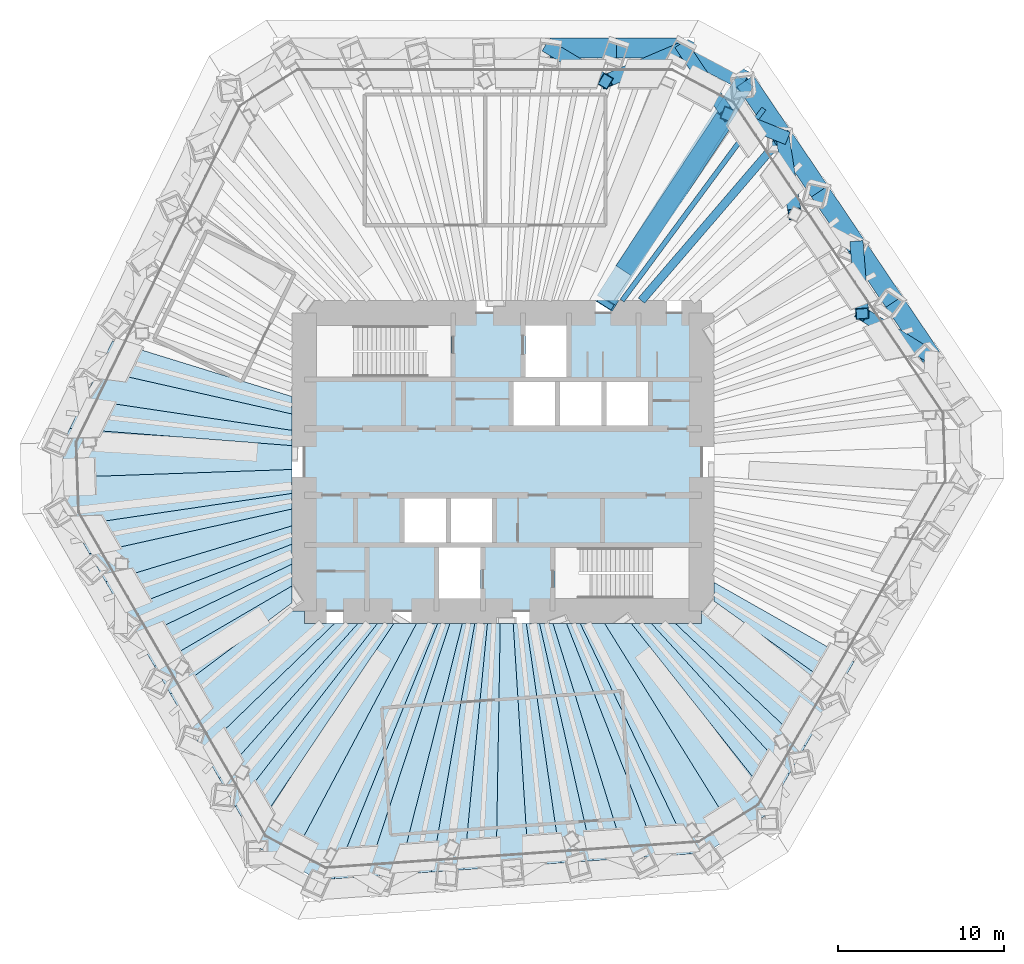
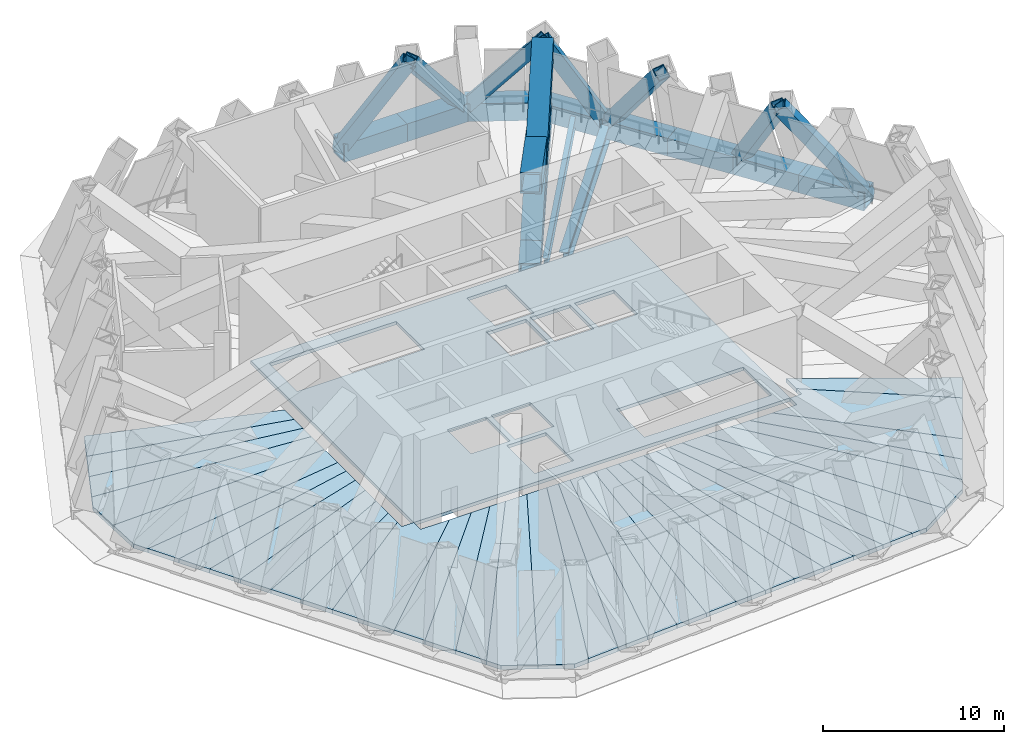
# One storey, part 5 of 12: 35 slabs, 17 members, 3 beams.
"""IFC4 building model written with IfcOpenShell, lengths in metres."""

from ifc_helpers import new_model, si_unit, direction, frame, origin, origin_2d, place, context, subcontext, project, spatial, polyline, hollow_rectangle, i_section, outline, extrude, material, layer, layer_set, material_profile, profile_set, type_object, element, save


model = new_model("IFC4")

# Units and contexts
model_context = context("Model", 3, precision=1e-05, world=origin(), true_north=direction((0.0, 1.0)))
body_context = subcontext(model_context, "Body", "Model", "MODEL_VIEW")
ifc_project = project(units=[si_unit("LENGTHUNIT", "METRE"), si_unit("AREAUNIT", "SQUARE_METRE"), si_unit("VOLUMEUNIT", "CUBIC_METRE"), si_unit("PLANEANGLEUNIT", "RADIAN"), si_unit("MASSUNIT", "GRAM", prefix="KILO")], contexts=[model_context])

# Site, building, storey
site_placement = place(None, origin())
site = spatial("IfcSite", under=ifc_project, at=site_placement, CompositionType="ELEMENT")
building_placement = place(site_placement, origin())
building = spatial("IfcBuilding", under=site, at=building_placement, Name="Qingtian Harvest Tower", CompositionType="ELEMENT")
storey_placement = place(building_placement, frame((0.0, 0.0, 174.39990234375)))
storey = spatial("IfcBuildingStorey", under=building, at=storey_placement, Name="L37", CompositionType="ELEMENT", Elevation=174.39990234375)

# Members
ifc_material_1 = material(Name="Steel SM570MC", Category="steel")
ifc_material_profile_1 = material_profile(ifc_material_1, hollow_rectangle(XDim=1.199951171875, YDim=1.199951171875, WallThickness=0.10009765625, at=origin_2d()), Name="BOX1200x1200x100")
ifc_profile_set_1 = profile_set([ifc_material_profile_1], Name="Steel SM570MC")
member_type_1 = type_object("IfcMemberType", Name="Belt truss chord BC2 BOX1200x1200x100", PredefinedType="CHORD", material=ifc_profile_set_1)
member_1_placement = place(storey_placement, frame((2.8544921875, 25.0, -0.599853515625), z_axis=(1.0, 0.0, 0.0), x_axis=(0.0, 1.0, 0.0)))
element("IfcMember", 1, at=member_1_placement, inside=storey, type_object=member_type_1, Name="Belt chord BC2 N4", PredefinedType="CHORD", context=body_context, shape_type="SweptSolid", body=[
    extrude(hollow_rectangle(XDim=1.199951171875, YDim=1.199951171875, WallThickness=0.10009765625, at=origin_2d()), origin(), (0.0, 0.0, 1.0), 4.019287109375),
])
member_2_placement = place(storey_placement, frame((6.873779296875, 25.0, -0.599853515625), z_axis=(1.0, 0.0, 0.0), x_axis=(0.0, 1.0, 0.0)))
element("IfcMember", 2, at=member_2_placement, inside=storey, type_object=member_type_1, Name="Belt chord BC2 N5", PredefinedType="CHORD", context=body_context, shape_type="SweptSolid", body=[
    extrude(hollow_rectangle(XDim=1.199951171875, YDim=1.199951171875, WallThickness=0.10009765625, at=origin_2d()), origin(), (0.0, 0.0, 1.0), 4.01904296875),
])
member_3_placement = place(storey_placement, frame((10.892822265625, 25.0, -0.599853515625), z_axis=(0.882935902835, -0.469493547863, 0.0), x_axis=(0.469493547863, 0.882935902835, 0.0)))
element("IfcMember", 3, at=member_3_placement, inside=storey, type_object=member_type_1, Name="Belt chord BC2 NC", PredefinedType="CHORD", context=body_context, shape_type="SweptSolid", body=[
    extrude(hollow_rectangle(XDim=1.199951171875, YDim=1.199951171875, WallThickness=0.10009765625, at=origin_2d()), origin(), (0.0, 0.0, 1.0), 4.238037109375),
])
member_4_placement = place(storey_placement, frame((14.634765625, 23.01025390625, -0.599853515625), z_axis=(0.559205752254, -0.829028905796, 0.0), x_axis=(0.829028905796, 0.559205752254, 0.0)))
element("IfcMember", 4, at=member_4_placement, inside=storey, type_object=member_type_1, Name="Belt chord BC2 NE0", PredefinedType="CHORD", context=body_context, shape_type="SweptSolid", body=[
    extrude(hollow_rectangle(XDim=1.199951171875, YDim=1.199951171875, WallThickness=0.10009765625, at=origin_2d()), origin(), (0.0, 0.0, 1.0), 4.019287109375),
])
member_5_placement = place(storey_placement, frame((16.88232421875, 19.67822265625, -0.599853515625), z_axis=(0.55919216322, -0.82903807186, 0.0), x_axis=(0.82903807186, 0.55919216322, 0.0)))
element("IfcMember", 5, at=member_5_placement, inside=storey, type_object=member_type_1, Name="Belt chord BC2 NE1", PredefinedType="CHORD", context=body_context, shape_type="SweptSolid", body=[
    extrude(hollow_rectangle(XDim=1.199951171875, YDim=1.199951171875, WallThickness=0.10009765625, at=origin_2d()), origin(), (0.0, 0.0, 1.0), 4.018798828125),
])
member_6_placement = place(storey_placement, frame((19.129638671875, 16.346435546875, -0.599853515625), z_axis=(0.559205752254, -0.829028905796, 0.0), x_axis=(0.829028905796, 0.559205752254, 0.0)))
element("IfcMember", 6, at=member_6_placement, inside=storey, type_object=member_type_1, Name="Belt chord BC2 NE2", PredefinedType="CHORD", context=body_context, shape_type="SweptSolid", body=[
    extrude(hollow_rectangle(XDim=1.199951171875, YDim=1.199951171875, WallThickness=0.10009765625, at=origin_2d()), origin(), (0.0, 0.0, 1.0), 4.019287109375),
])
for number, where, z_axis, x_axis, name in (
    (7, (21.377197265625, 13.014404296875, -0.599853515625), (0.55916400171, -0.829057066306, 0.0), (0.829057066306, 0.55916400171, 0.0), "Belt chord BC2 NE3"),
    (8, (23.62451171875, 9.682373046875, -0.599853515625), (0.559233913953, -0.829009909159, 0.0), (0.829009909159, 0.559233913953, 0.0), "Belt chord BC2 NE4"),
):
    element("IfcMember", number, at=place(storey_placement, frame(where, z_axis=z_axis, x_axis=x_axis)), inside=storey, type_object=member_type_1, Name=name, PredefinedType="CHORD", context=body_context, shape_type="SweptSolid", body=[
        extrude(hollow_rectangle(XDim=1.199951171875, YDim=1.199951171875, WallThickness=0.10009765625, at=origin_2d()), origin(), (0.0, 0.0, 1.0), 4.01904296875),
    ])
ifc_material_2 = material(Name="Steel SM570MC", Category="steel")
ifc_material_profile_2 = material_profile(ifc_material_2, hollow_rectangle(XDim=0.800048828125, YDim=0.800048828125, WallThickness=0.050048828125, at=origin_2d()), Name="BOX800x800x50")
ifc_profile_set_2 = profile_set([ifc_material_profile_2], Name="Steel SM570MC")
member_type_2 = type_object("IfcMemberType", Name="Belt truss diagonal BD2 BOX800x800x50", PredefinedType="BRACE", material=ifc_profile_set_2)
member_7_placement = place(storey_placement, frame((2.8544921875, 25.0, -0.599853515625), z_axis=(0.46712475849, -0.279605876191, 0.838817628573), x_axis=(0.51359193391, 0.858034571228, 0.0)))
element("IfcMember", 9, at=member_7_placement, inside=storey, type_object=member_type_2, Name="Belt truss diagonal BD2 L37 N4", PredefinedType="BRACE", context=body_context, shape_type="SweptSolid", body=[
    extrude(hollow_rectangle(XDim=0.800048828125, YDim=0.800048828125, WallThickness=0.050048828125, at=origin_2d()), origin(), (0.0, 0.0, 1.0), 7.15283203125),
])
member_8_placement = place(storey_placement, frame((6.19580078125, 23.0, 5.400146484375), z_axis=(0.596224235389, 0.253873326904, -0.761619980713), x_axis=(-0.391765362101, 0.920065161311, 0.0)))
element("IfcMember", 10, at=member_8_placement, inside=storey, type_object=member_type_2, Name="Belt truss diagonal BD2 L37 N5", PredefinedType="BRACE", context=body_context, shape_type="SweptSolid", body=[
    extrude(hollow_rectangle(XDim=0.800048828125, YDim=0.800048828125, WallThickness=0.050048828125, at=origin_2d()), origin(), (0.0, 0.0, 1.0), 7.8779296875),
])
member_9_placement = place(storey_placement, frame((10.892822265625, 25.0, -0.599853515625), z_axis=(0.348434358469, -0.519015065728, 0.780523452169), x_axis=(0.83025606175, 0.557382159678, 0.0)))
element("IfcMember", 11, at=member_9_placement, inside=storey, type_object=member_type_2, Name="Belt truss diagonal BD2 L37 N6", PredefinedType="BRACE", context=body_context, shape_type="SweptSolid", body=[
    extrude(hollow_rectangle(XDim=0.800048828125, YDim=0.800048828125, WallThickness=0.050048828125, at=origin_2d()), origin(), (0.0, 0.0, 1.0), 7.687255859375),
])
member_10_placement = place(storey_placement, frame((13.5712890625, 21.01025390625, 5.400146484375), z_axis=(0.474278276041, -0.190802409237, -0.859450148354), x_axis=(0.373229865831, 0.927738900366, 0.0)))
element("IfcMember", 12, at=member_10_placement, inside=storey, type_object=member_type_2, Name="Belt truss diagonal BD2 L37 NE0", PredefinedType="BRACE", context=body_context, shape_type="SweptSolid", body=[
    extrude(hollow_rectangle(XDim=0.800048828125, YDim=0.800048828125, WallThickness=0.050048828125, at=origin_2d()), origin(), (0.0, 0.0, 1.0), 6.981201171875),
])
member_11_placement = place(storey_placement, frame((16.88232421875, 19.67822265625, -0.599853515625), z_axis=(0.098335854694, -0.613076050296, 0.783879975656), x_axis=(0.987379330711, 0.158373158347, 0.0)))
element("IfcMember", 13, at=member_11_placement, inside=storey, type_object=member_type_2, Name="Belt truss diagonal BD2 L37 NE1", PredefinedType="BRACE", context=body_context, shape_type="SweptSolid", body=[
    extrude(hollow_rectangle(XDim=0.800048828125, YDim=0.800048828125, WallThickness=0.050048828125, at=origin_2d()), origin(), (0.0, 0.0, 1.0), 7.654296875),
])
member_12_placement = place(storey_placement, frame((21.377197265625, 13.014404296875, -0.599853515625), z_axis=(0.044361445451, -0.55925062932, 0.8278108454), x_axis=(0.996868698948, 0.079074629676, 0.0)))
element("IfcMember", 14, at=member_12_placement, inside=storey, type_object=member_type_2, Name="Belt truss diagonal BD2 L37 NE3", PredefinedType="BRACE", context=body_context, shape_type="SweptSolid", body=[
    extrude(hollow_rectangle(XDim=0.800048828125, YDim=0.800048828125, WallThickness=0.050048828125, at=origin_2d()), origin(), (0.0, 0.0, 1.0), 7.248046875),
])
member_13_placement = place(storey_placement, frame((21.69873046875, 8.9609375, 5.400146484375), z_axis=(0.537743034687, -0.336348925171, -0.773111783109), x_axis=(0.530293147603, 0.847814353267, 0.0)))
element("IfcMember", 15, at=member_13_placement, inside=storey, type_object=member_type_2, Name="Belt truss diagonal BD2 L37 NE4", PredefinedType="BRACE", context=body_context, shape_type="SweptSolid", body=[
    extrude(hollow_rectangle(XDim=0.800048828125, YDim=0.800048828125, WallThickness=0.050048828125, at=origin_2d()), origin(), (0.0, 0.0, 1.0), 7.7607421875),
])

# Beams
ifc_material_3 = material(Name="Steel SN490B", Category="steel")
ifc_material_profile_3 = material_profile(ifc_material_3, i_section(OverallWidth=0.300048828125, OverallDepth=0.800048828125, WebThickness=0.013916015625, FlangeThickness=0.02587890625, at=origin_2d()), Name="H800x300x14x26")
ifc_profile_set_3 = profile_set([ifc_material_profile_3], Name="Steel SN490B")
beam_type_1 = type_object("IfcBeamType", Name="Floor joist J1 H800x300x14x26", PredefinedType="JOIST", material=ifc_profile_set_3)
beam_1_placement = place(storey_placement, frame((15.758544921875, 21.34423828125, -0.679931640625), z_axis=(-0.593960386058, -0.804494288229, 0.0), x_axis=(0.804494288229, -0.593960386058, 0.0)))
element("IfcBeam", 16, at=beam_1_placement, inside=storey, type_object=beam_type_1, Name="Floor joist J1 NE0", PredefinedType="JOIST", context=body_context, shape_type="SweptSolid", body=[
    extrude(i_section(OverallWidth=0.300048828125, OverallDepth=0.800048828125, WebThickness=0.013916015625, FlangeThickness=0.02587890625, at=origin_2d()), origin(), (0.0, 0.0, 1.0), 14.411865234375),
])
ifc_material_4 = material(Name="Steel SM570MC", Category="steel")
ifc_material_profile_4 = material_profile(ifc_material_4, hollow_rectangle(XDim=1.199951171875, YDim=1.199951171875, WallThickness=0.10009765625, at=origin_2d()), Name="BOX1200x1200x100")
ifc_profile_set_4 = profile_set([ifc_material_profile_4], Name="Steel SM570MC")
beam_type_2 = type_object("IfcBeamType", Name="Outrigger chord beam OC2 BOX1200x1200x100", PredefinedType="BEAM", material=ifc_profile_set_4)
beam_2_placement = place(storey_placement, frame((14.634765625, 23.01025390625, -0.8798828125), z_axis=(-0.536660352939, -0.843798355997, 0.0), x_axis=(0.843798355997, -0.536660352939, 0.0)))
element("IfcBeam", 17, at=beam_2_placement, inside=storey, type_object=beam_type_2, Name="Floor beam OC2 NE0", PredefinedType="BEAM", context=body_context, shape_type="SweptSolid", body=[
    extrude(hollow_rectangle(XDim=1.199951171875, YDim=1.199951171875, WallThickness=0.10009765625, at=origin_2d()), origin(), (0.0, 0.0, 1.0), 15.71484375),
])

# Members
ifc_material_5 = material(Name="Steel SM570MC", Category="steel")
ifc_material_profile_5 = material_profile(ifc_material_5, hollow_rectangle(XDim=1.199951171875, YDim=1.199951171875, WallThickness=0.10009765625, at=origin_2d()), Name="BOX1200x1200x100")
ifc_profile_set_5 = profile_set([ifc_material_profile_5], Name="Steel SM570MC")
member_type_3 = type_object("IfcMemberType", Name="Outrigger diagonal OT2 BOX1200x1200x100", PredefinedType="BRACE", material=ifc_profile_set_5)
member_14_placement = place(storey_placement, frame((14.634765625, 23.01025390625, -0.8798828125), z_axis=(-0.496716625346, -0.789800283602, 0.359844558284), x_axis=(0.84650578556, -0.532379521595, 0.0)))
element("IfcMember", 18, at=member_14_placement, inside=storey, type_object=member_type_3, Name="Outrigger diagonal OT2 L37 NE0-1", PredefinedType="BRACE", context=body_context, shape_type="SweptSolid", body=[
    extrude(hollow_rectangle(XDim=1.199951171875, YDim=1.199951171875, WallThickness=0.10009765625, at=origin_2d()), origin(), (0.0, 0.0, 1.0), 16.979248046875),
])
member_15_placement = place(storey_placement, frame((7.489013671875, 11.775146484375, -0.8798828125), z_axis=(0.481430612012, 0.730986864713, 0.483614277534), x_axis=(-0.83514513981, 0.55002963143, 0.0)))
element("IfcMember", 19, at=member_15_placement, inside=storey, type_object=member_type_3, Name="Outrigger diagonal OT2 L37 NE0-2", PredefinedType="BRACE", context=body_context, shape_type="SweptSolid", body=[
    extrude(hollow_rectangle(XDim=1.199951171875, YDim=1.199951171875, WallThickness=0.10009765625, at=origin_2d()), origin(), (0.0, 0.0, 1.0), 12.6337890625),
])

# Beam
ifc_material_6 = material(Name="Steel SM570MC", Category="steel")
ifc_material_profile_6 = material_profile(ifc_material_6, i_section(OverallWidth=0.5, OverallDepth=1.199951171875, WebThickness=0.02490234375, FlangeThickness=0.050048828125, at=origin_2d()), Name="H1200x500x25x50")
ifc_profile_set_6 = profile_set([ifc_material_profile_6], Name="Steel SM570MC")
beam_type_3 = type_object("IfcBeamType", Name="Plant floor beam FB7 H1200x500x25x50", PredefinedType="BEAM", material=ifc_profile_set_6)
beam_3_placement = place(storey_placement, frame((16.88232421875, 19.67822265625, -0.8798828125), z_axis=(-0.651140196702, -0.758957471957, 0.0), x_axis=(0.758957471957, -0.651140196702, 0.0)))
element("IfcBeam", 20, at=beam_3_placement, inside=storey, type_object=beam_type_3, Name="Floor beam FB7 NE1", PredefinedType="BEAM", context=body_context, shape_type="SweptSolid", body=[
    extrude(i_section(OverallWidth=0.5, OverallDepth=1.199951171875, WebThickness=0.02490234375, FlangeThickness=0.050048828125, at=origin_2d()), origin(), (0.0, 0.0, 1.0), 13.081298828125),
])

# Slabs
ifc_material_7 = material(Name="Concrete fc' 35 MPa", Category="concrete")
ifc_layer_1 = layer(ifc_material_7, 0.280029296875)
ifc_layer_set_1 = layer_set([ifc_layer_1], Name="Composite floor slab FS28 280")
slab_type_1 = type_object("IfcSlabType", Name="Composite floor slab FS28 280", PredefinedType="FLOOR", material=ifc_layer_set_1)
slab_1_placement = place(storey_placement, frame((0.0, 0.0, -0.27978515625)))
element("IfcSlab", 21, at=slab_1_placement, inside=storey, type_object=slab_type_1, Name="Floor slab L37 panel D01", PredefinedType="FLOOR", context=body_context, shape_type="SweptSolid", body=[
    extrude(outline(polyline([(-26.49755859375, -0.925537109375), (-12.75, -0.447998046875), (-12.75, -1.89599609375), (-25.96142578125, -3.843505859375), (-26.423583984375, -3.043212890625), (-26.49755859375, -0.925537109375)])), origin(), (0.0, 0.0, 1.0), 0.27978515625),
])
slab_2_placement = place(storey_placement, frame((0.0, 0.0, -0.27978515625)))
element("IfcSlab", 22, at=slab_2_placement, inside=storey, type_object=slab_type_1, Name="Floor slab L37 panel D02", PredefinedType="FLOOR", context=body_context, shape_type="SweptSolid", body=[
    extrude(outline(polyline([(-12.75, -2.838134765625), (-24.98046875, -5.54248046875), (-25.96142578125, -3.843505859375), (-12.75, -1.89599609375), (-12.75, -2.838134765625)])), origin(), (0.0, 0.0, 1.0), 0.27978515625),
])
slab_3_placement = place(storey_placement, frame((0.0, 0.0, -0.27978515625)))
element("IfcSlab", 23, at=slab_3_placement, inside=storey, type_object=slab_type_1, Name="Floor slab L37 panel D03", PredefinedType="FLOOR", context=body_context, shape_type="SweptSolid", body=[
    extrude(outline(polyline([(-12.75, -3.857666015625), (-23.999755859375, -7.2412109375), (-24.98046875, -5.54248046875), (-12.75, -2.838134765625), (-12.75, -3.857666015625)])), origin(), (0.0, 0.0, 1.0), 0.27978515625),
])
slab_4_placement = place(storey_placement, frame((0.0, 0.0, -0.27978515625)))
element("IfcSlab", 24, at=slab_4_placement, inside=storey, type_object=slab_type_1, Name="Floor slab L37 panel D04", PredefinedType="FLOOR", context=body_context, shape_type="SweptSolid", body=[
    extrude(outline(polyline([(-12.75, -4.9638671875), (-23.018798828125, -8.940185546875), (-23.999755859375, -7.2412109375), (-12.75, -3.857666015625), (-12.75, -4.9638671875)])), origin(), (0.0, 0.0, 1.0), 0.27978515625),
])
slab_5_placement = place(storey_placement, frame((0.0, 0.0, -0.27978515625)))
element("IfcSlab", 25, at=slab_5_placement, inside=storey, type_object=slab_type_1, Name="Floor slab L37 panel D05", PredefinedType="FLOOR", context=body_context, shape_type="SweptSolid", body=[
    extrude(outline(polyline([(-12.75, -6.1689453125), (-22.037841796875, -10.63916015625), (-23.018798828125, -8.940185546875), (-12.75, -4.9638671875), (-12.75, -6.1689453125)])), origin(), (0.0, 0.0, 1.0), 0.27978515625),
])
slab_6_placement = place(storey_placement, frame((0.0, 0.0, -0.27978515625)))
element("IfcSlab", 26, at=slab_6_placement, inside=storey, type_object=slab_type_1, Name="Floor slab L37 panel D06", PredefinedType="FLOOR", context=body_context, shape_type="SweptSolid", body=[
    extrude(outline(polyline([(-12.75, -7.486328125), (-21.056884765625, -12.338134765625), (-22.037841796875, -10.63916015625), (-12.75, -6.1689453125), (-12.75, -7.486328125)])), origin(), (0.0, 0.0, 1.0), 0.27978515625),
])
slab_7_placement = place(storey_placement, frame((0.0, 0.0, -0.27978515625)))
element("IfcSlab", 27, at=slab_7_placement, inside=storey, type_object=slab_type_1, Name="Floor slab L37 panel D07", PredefinedType="FLOOR", context=body_context, shape_type="SweptSolid", body=[
    extrude(outline(polyline([(-12.75, -8.512451171875), (-20.086669921875, -14.018798828125), (-21.056884765625, -12.338134765625), (-12.75, -7.486328125), (-12.75, -8.512451171875)])), origin(), (0.0, 0.0, 1.0), 0.27978515625),
])
slab_8_placement = place(storey_placement, frame((0.0, 0.0, -0.27978515625)))
element("IfcSlab", 28, at=slab_8_placement, inside=storey, type_object=slab_type_1, Name="Floor slab L37 panel D09", PredefinedType="FLOOR", context=body_context, shape_type="SweptSolid", body=[
    extrude(outline(polyline([(-18.115478515625, -17.43310546875), (-20.086669921875, -14.018798828125), (-12.75, -8.512451171875), (-12.75, -9.0), (-12.0, -9.0), (-12.0, -9.75), (-10.168212890625, -9.75), (-18.115478515625, -17.43310546875)])), origin(), (0.0, 0.0, 1.0), 0.27978515625),
])
slab_9_placement = place(storey_placement, frame((0.0, 0.0, -0.27978515625)))
element("IfcSlab", 29, at=slab_9_placement, inside=storey, type_object=slab_type_1, Name="Floor slab L37 panel D10", PredefinedType="FLOOR", context=body_context, shape_type="SweptSolid", body=[
    extrude(outline(polyline([(-8.759521484375, -9.75), (-17.134521484375, -19.132080078125), (-18.115478515625, -17.43310546875), (-10.168212890625, -9.75), (-8.759521484375, -9.75)])), origin(), (0.0, 0.0, 1.0), 0.27978515625),
])
slab_10_placement = place(storey_placement, frame((0.0, 0.0, -0.27978515625)))
element("IfcSlab", 30, at=slab_10_placement, inside=storey, type_object=slab_type_1, Name="Floor slab L37 panel D11", PredefinedType="FLOOR", context=body_context, shape_type="SweptSolid", body=[
    extrude(outline(polyline([(-7.58203125, -9.75), (-16.153564453125, -20.831298828125), (-17.134521484375, -19.132080078125), (-8.759521484375, -9.75), (-7.58203125, -9.75)])), origin(), (0.0, 0.0, 1.0), 0.27978515625),
])
slab_11_placement = place(storey_placement, frame((0.0, 0.0, -0.27978515625)))
element("IfcSlab", 31, at=slab_11_placement, inside=storey, type_object=slab_type_1, Name="Floor slab L37 panel D12", PredefinedType="FLOOR", context=body_context, shape_type="SweptSolid", body=[
    extrude(outline(polyline([(-6.5830078125, -9.75), (-15.172607421875, -22.5302734375), (-16.153564453125, -20.831298828125), (-7.58203125, -9.75), (-6.5830078125, -9.75)])), origin(), (0.0, 0.0, 1.0), 0.27978515625),
])
slab_12_placement = place(storey_placement, frame((0.0, 0.0, -0.27978515625)))
element("IfcSlab", 32, at=slab_12_placement, inside=storey, type_object=slab_type_1, Name="Floor slab L37 panel D13", PredefinedType="FLOOR", context=body_context, shape_type="SweptSolid", body=[
    extrude(outline(polyline([(-6.5830078125, -9.75), (-5.21875, -9.75), (-12.914306640625, -24.285888671875), (-14.71044921875, -23.330810546875), (-15.172607421875, -22.5302734375), (-6.5830078125, -9.75)])), origin(), (0.0, 0.0, 1.0), 0.27978515625),
])
slab_13_placement = place(storey_placement, frame((0.0, 0.0, -0.27978515625)))
element("IfcSlab", 33, at=slab_13_placement, inside=storey, type_object=slab_type_1, Name="Floor slab L37 panel D14", PredefinedType="FLOOR", context=body_context, shape_type="SweptSolid", body=[
    extrude(outline(polyline([(-5.21875, -9.75), (-3.947021484375, -9.75), (-10.19482421875, -25.177490234375), (-11.1162109375, -25.241943359375), (-12.914306640625, -24.285888671875), (-5.21875, -9.75)])), origin(), (0.0, 0.0, 1.0), 0.27978515625),
])
slab_14_placement = place(storey_placement, frame((0.0, 0.0, -0.27978515625)))
element("IfcSlab", 34, at=slab_14_placement, inside=storey, type_object=slab_type_1, Name="Floor slab L37 panel D15", PredefinedType="FLOOR", context=body_context, shape_type="SweptSolid", body=[
    extrude(outline(polyline([(-3.20654296875, -9.75), (-8.23779296875, -25.04052734375), (-10.19482421875, -25.177490234375), (-3.947021484375, -9.75), (-3.20654296875, -9.75)])), origin(), (0.0, 0.0, 1.0), 0.27978515625),
])
slab_15_placement = place(storey_placement, frame((0.0, 0.0, -0.27978515625)))
element("IfcSlab", 35, at=slab_15_placement, inside=storey, type_object=slab_type_1, Name="Floor slab L37 panel D16", PredefinedType="FLOOR", context=body_context, shape_type="SweptSolid", body=[
    extrude(outline(polyline([(-2.4580078125, -9.75), (-6.28076171875, -24.90380859375), (-8.23779296875, -25.04052734375), (-3.20654296875, -9.75), (-2.4580078125, -9.75)])), origin(), (0.0, 0.0, 1.0), 0.27978515625),
])
slab_16_placement = place(storey_placement, frame((0.0, 0.0, -0.27978515625)))
element("IfcSlab", 36, at=slab_16_placement, inside=storey, type_object=slab_type_1, Name="Floor slab L37 panel D17", PredefinedType="FLOOR", context=body_context, shape_type="SweptSolid", body=[
    extrude(outline(polyline([(-1.701171875, -9.75), (-4.323974609375, -24.766845703125), (-6.28076171875, -24.90380859375), (-2.4580078125, -9.75), (-1.701171875, -9.75)])), origin(), (0.0, 0.0, 1.0), 0.27978515625),
])
slab_17_placement = place(storey_placement, frame((0.0, 0.0, -0.27978515625)))
element("IfcSlab", 37, at=slab_17_placement, inside=storey, type_object=slab_type_1, Name="Floor slab L37 panel D18", PredefinedType="FLOOR", context=body_context, shape_type="SweptSolid", body=[
    extrude(outline(polyline([(-0.93603515625, -9.75), (-2.366943359375, -24.630126953125), (-4.323974609375, -24.766845703125), (-1.701171875, -9.75), (-0.93603515625, -9.75)])), origin(), (0.0, 0.0, 1.0), 0.27978515625),
])
slab_18_placement = place(storey_placement, frame((0.0, 0.0, -0.27978515625)))
element("IfcSlab", 38, at=slab_18_placement, inside=storey, type_object=slab_type_1, Name="Floor slab L37 panel D19", PredefinedType="FLOOR", context=body_context, shape_type="SweptSolid", body=[
    extrude(outline(polyline([(-0.162109375, -9.75), (-0.409912109375, -24.4931640625), (-2.366943359375, -24.630126953125), (-0.93603515625, -9.75), (-0.162109375, -9.75)])), origin(), (0.0, 0.0, 1.0), 0.27978515625),
])
slab_19_placement = place(storey_placement, frame((0.0, 0.0, -0.27978515625)))
element("IfcSlab", 39, at=slab_19_placement, inside=storey, type_object=slab_type_1, Name="Floor slab L37 panel D20", PredefinedType="FLOOR", context=body_context, shape_type="SweptSolid", body=[
    extrude(outline(polyline([(0.620361328125, -9.75), (1.546875, -24.3564453125), (-0.409912109375, -24.4931640625), (-0.162109375, -9.75), (0.620361328125, -9.75)])), origin(), (0.0, 0.0, 1.0), 0.27978515625),
])
slab_20_placement = place(storey_placement, frame((0.0, 0.0, -0.27978515625)))
element("IfcSlab", 40, at=slab_20_placement, inside=storey, type_object=slab_type_1, Name="Floor slab L37 panel D21", PredefinedType="FLOOR", context=body_context, shape_type="SweptSolid", body=[
    extrude(outline(polyline([(1.41162109375, -9.75), (3.50390625, -24.219482421875), (1.546875, -24.3564453125), (0.620361328125, -9.75), (1.41162109375, -9.75)])), origin(), (0.0, 0.0, 1.0), 0.27978515625),
])
slab_21_placement = place(storey_placement, frame((0.0, 0.0, -0.27978515625)))
element("IfcSlab", 41, at=slab_21_placement, inside=storey, type_object=slab_type_1, Name="Floor slab L37 panel D22", PredefinedType="FLOOR", context=body_context, shape_type="SweptSolid", body=[
    extrude(outline(polyline([(2.2119140625, -9.75), (5.460693359375, -24.082763671875), (3.50390625, -24.219482421875), (1.41162109375, -9.75), (2.2119140625, -9.75)])), origin(), (0.0, 0.0, 1.0), 0.27978515625),
])
slab_22_placement = place(storey_placement, frame((0.0, 0.0, -0.27978515625)))
element("IfcSlab", 42, at=slab_22_placement, inside=storey, type_object=slab_type_1, Name="Floor slab L37 panel D23", PredefinedType="FLOOR", context=body_context, shape_type="SweptSolid", body=[
    extrude(outline(polyline([(3.021484375, -9.75), (7.417724609375, -23.94580078125), (5.460693359375, -24.082763671875), (2.2119140625, -9.75), (3.021484375, -9.75)])), origin(), (0.0, 0.0, 1.0), 0.27978515625),
])
slab_23_placement = place(storey_placement, frame((0.0, 0.0, -0.27978515625)))
element("IfcSlab", 43, at=slab_23_placement, inside=storey, type_object=slab_type_1, Name="Floor slab L37 panel D24", PredefinedType="FLOOR", context=body_context, shape_type="SweptSolid", body=[
    extrude(outline(polyline([(3.840087890625, -9.75), (9.374755859375, -23.80908203125), (7.417724609375, -23.94580078125), (3.021484375, -9.75), (3.840087890625, -9.75)])), origin(), (0.0, 0.0, 1.0), 0.27978515625),
])
slab_24_placement = place(storey_placement, frame((0.0, 0.0, -0.27978515625)))
element("IfcSlab", 44, at=slab_24_placement, inside=storey, type_object=slab_type_1, Name="Floor slab L37 panel D25", PredefinedType="FLOOR", context=body_context, shape_type="SweptSolid", body=[
    extrude(outline(polyline([(4.66845703125, -9.75), (11.33154296875, -23.672119140625), (9.374755859375, -23.80908203125), (3.840087890625, -9.75), (4.66845703125, -9.75)])), origin(), (0.0, 0.0, 1.0), 0.27978515625),
])
slab_25_placement = place(storey_placement, frame((0.0, 0.0, -0.27978515625)))
element("IfcSlab", 45, at=slab_25_placement, inside=storey, type_object=slab_type_1, Name="Floor slab L37 panel D26", PredefinedType="FLOOR", context=body_context, shape_type="SweptSolid", body=[
    extrude(outline(polyline([(4.66845703125, -9.75), (6.14404296875, -9.75), (14.0517578125, -22.48388671875), (12.2529296875, -23.607666015625), (11.33154296875, -23.672119140625), (4.66845703125, -9.75)])), origin(), (0.0, 0.0, 1.0), 0.27978515625),
])
slab_26_placement = place(storey_placement, frame((0.0, 0.0, -0.27978515625)))
element("IfcSlab", 46, at=slab_26_placement, inside=storey, type_object=slab_type_1, Name="Floor slab L37 panel D27", PredefinedType="FLOOR", context=body_context, shape_type="SweptSolid", body=[
    extrude(outline(polyline([(6.14404296875, -9.75), (7.756103515625, -9.75), (16.3095703125, -20.561279296875), (15.84716796875, -21.36181640625), (14.0517578125, -22.48388671875), (6.14404296875, -9.75)])), origin(), (0.0, 0.0, 1.0), 0.27978515625),
])
slab_27_placement = place(storey_placement, frame((0.0, 0.0, -0.27978515625)))
element("IfcSlab", 47, at=slab_27_placement, inside=storey, type_object=slab_type_1, Name="Floor slab L37 panel D28", PredefinedType="FLOOR", context=body_context, shape_type="SweptSolid", body=[
    extrude(outline(polyline([(8.966552734375, -9.75), (17.29052734375, -18.862060546875), (16.3095703125, -20.561279296875), (7.756103515625, -9.75), (8.966552734375, -9.75)])), origin(), (0.0, 0.0, 1.0), 0.27978515625),
])
slab_28_placement = place(storey_placement, frame((0.0, 0.0, -0.27978515625)))
element("IfcSlab", 48, at=slab_28_placement, inside=storey, type_object=slab_type_1, Name="Floor slab L37 panel D29", PredefinedType="FLOOR", context=body_context, shape_type="SweptSolid", body=[
    extrude(outline(polyline([(10.41796875, -9.75), (18.271484375, -17.162841796875), (17.29052734375, -18.862060546875), (8.966552734375, -9.75), (10.41796875, -9.75)])), origin(), (0.0, 0.0, 1.0), 0.27978515625),
])
slab_29_placement = place(storey_placement, frame((0.0, 0.0, -0.27978515625)))
element("IfcSlab", 49, at=slab_29_placement, inside=storey, type_object=slab_type_1, Name="Floor slab L37 panel D31", PredefinedType="FLOOR", context=body_context, shape_type="SweptSolid", body=[
    extrude(outline(polyline([(12.75, -8.398681640625), (20.239501953125, -13.754150390625), (18.271484375, -17.162841796875), (10.41796875, -9.75), (12.0, -9.75), (12.0, -9.0), (12.75, -9.0), (12.75, -8.398681640625)])), origin(), (0.0, 0.0, 1.0), 0.27978515625),
])
slab_30_placement = place(storey_placement, frame((0.0, 0.0, -0.27978515625)))
element("IfcSlab", 50, at=slab_30_placement, inside=storey, type_object=slab_type_1, Name="Floor slab L37 panel D32", PredefinedType="FLOOR", context=body_context, shape_type="SweptSolid", body=[
    extrude(outline(polyline([(12.75, -7.268798828125), (21.212890625, -12.068115234375), (20.239501953125, -13.754150390625), (12.75, -8.398681640625), (12.75, -7.268798828125)])), origin(), (0.0, 0.0, 1.0), 0.27978515625),
])
slab_31_placement = place(storey_placement, frame((0.0, 0.0, -0.27978515625)))
element("IfcSlab", 51, at=slab_31_placement, inside=storey, type_object=slab_type_1, Name="Floor slab L37 panel D75", PredefinedType="FLOOR", context=body_context, shape_type="SweptSolid", body=[
    extrude(outline(polyline([(-12.75, 2.903076171875), (-24.4462890625, 5.549560546875), (-23.58642578125, 7.312744140625), (-12.75, 3.962646484375), (-12.75, 2.903076171875)])), origin(), (0.0, 0.0, 1.0), 0.27978515625),
])
slab_32_placement = place(storey_placement, frame((0.0, 0.0, -0.27978515625)))
element("IfcSlab", 52, at=slab_32_placement, inside=storey, type_object=slab_type_1, Name="Floor slab L37 panel D76", PredefinedType="FLOOR", context=body_context, shape_type="SweptSolid", body=[
    extrude(outline(polyline([(-12.75, 1.91552734375), (-25.306396484375, 3.7861328125), (-24.4462890625, 5.549560546875), (-12.75, 2.903076171875), (-12.75, 1.91552734375)])), origin(), (0.0, 0.0, 1.0), 0.27978515625),
])
slab_33_placement = place(storey_placement, frame((0.0, 0.0, -0.27978515625)))
element("IfcSlab", 53, at=slab_33_placement, inside=storey, type_object=slab_type_1, Name="Floor slab L37 panel D77", PredefinedType="FLOOR", context=body_context, shape_type="SweptSolid", body=[
    extrude(outline(polyline([(-12.75, 0.992919921875), (-26.166259765625, 2.02294921875), (-25.306396484375, 3.7861328125), (-12.75, 1.91552734375), (-12.75, 0.992919921875)])), origin(), (0.0, 0.0, 1.0), 0.27978515625),
])
slab_34_placement = place(storey_placement, frame((0.0, 0.0, -0.27978515625)))
element("IfcSlab", 54, at=slab_34_placement, inside=storey, type_object=slab_type_1, Name="Floor slab L37 panel D78", PredefinedType="FLOOR", context=body_context, shape_type="SweptSolid", body=[
    extrude(outline(polyline([(-12.75, 0.992919921875), (-12.75, -0.447998046875), (-26.49755859375, -0.925537109375), (-26.571533203125, 1.1923828125), (-26.166259765625, 2.02294921875), (-12.75, 0.992919921875)])), origin(), (0.0, 0.0, 1.0), 0.27978515625),
])
ifc_material_8 = material(Name="Concrete fc' 35 MPa", Category="concrete")
ifc_layer_2 = layer(ifc_material_8, 0.219970703125)
ifc_layer_set_2 = layer_set([ifc_layer_2], Name="Core floor slab CS22 220")
slab_type_2 = type_object("IfcSlabType", Name="Core floor slab CS22 220", PredefinedType="FLOOR", material=ifc_layer_set_2)
slab_35_placement = place(storey_placement, frame((0.0, 0.0, -0.219970703125)))
element("IfcSlab", 55, at=slab_35_placement, inside=storey, type_object=slab_type_2, Name="Core floor slab L37", PredefinedType="FLOOR", context=body_context, shape_type="SweptSolid", body=[
    extrude(outline(polyline([(-12.0, -9.0), (12.0, -9.0), (12.0, 9.0), (-12.0, 9.0), (-12.0, -9.0)]), holes=[polyline([(-11.25, 5.14990234375), (-3.14990234375, 5.14990234375), (-3.14990234375, 8.25), (-11.25, 8.25), (-11.25, 5.14990234375)]), polyline([(3.14990234375, -8.25), (11.25, -8.25), (11.25, -5.14990234375), (3.14990234375, -5.14990234375), (3.14990234375, -8.25)]), polyline([(1.35009765625, 5.14990234375), (3.85009765625, 5.14990234375), (3.85009765625, 8.25), (1.35009765625, 8.25), (1.35009765625, 5.14990234375)]), polyline([(-3.85009765625, -8.25), (-1.35009765625, -8.25), (-1.35009765625, -5.14990234375), (-3.85009765625, -5.14990234375), (-3.85009765625, -8.25)]), polyline([(0.64990234375, 2.199951171875), (3.14990234375, 2.199951171875), (3.14990234375, 4.85009765625), (0.64990234375, 4.85009765625), (0.64990234375, 2.199951171875)]), polyline([(3.449951171875, 2.199951171875), (5.949951171875, 2.199951171875), (5.949951171875, 4.85009765625), (3.449951171875, 4.85009765625), (3.449951171875, 2.199951171875)]), polyline([(6.25, 2.199951171875), (8.75, 2.199951171875), (8.75, 4.85009765625), (6.25, 4.85009765625), (6.25, 2.199951171875)]), polyline([(-5.949951171875, -4.85009765625), (-3.449951171875, -4.85009765625), (-3.449951171875, -2.199951171875), (-5.949951171875, -2.199951171875), (-5.949951171875, -4.85009765625)]), polyline([(-3.14990234375, -4.85009765625), (-0.64990234375, -4.85009765625), (-0.64990234375, -2.199951171875), (-3.14990234375, -2.199951171875), (-3.14990234375, -4.85009765625)])]), origin(), (0.0, 0.0, 1.0), 0.219970703125),
])

save(model, "model.ifc")
